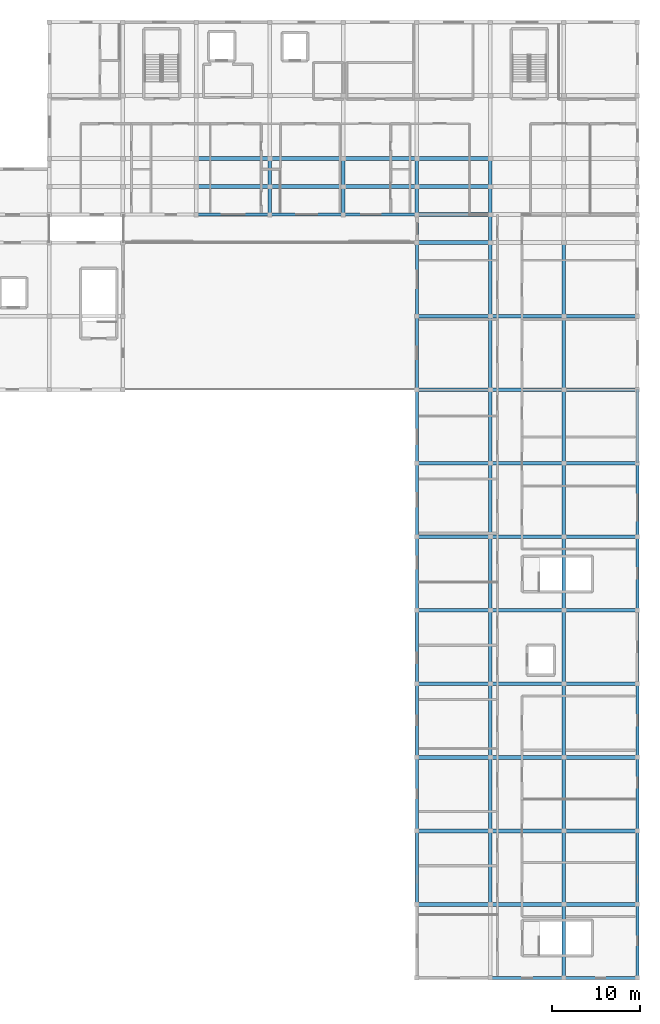
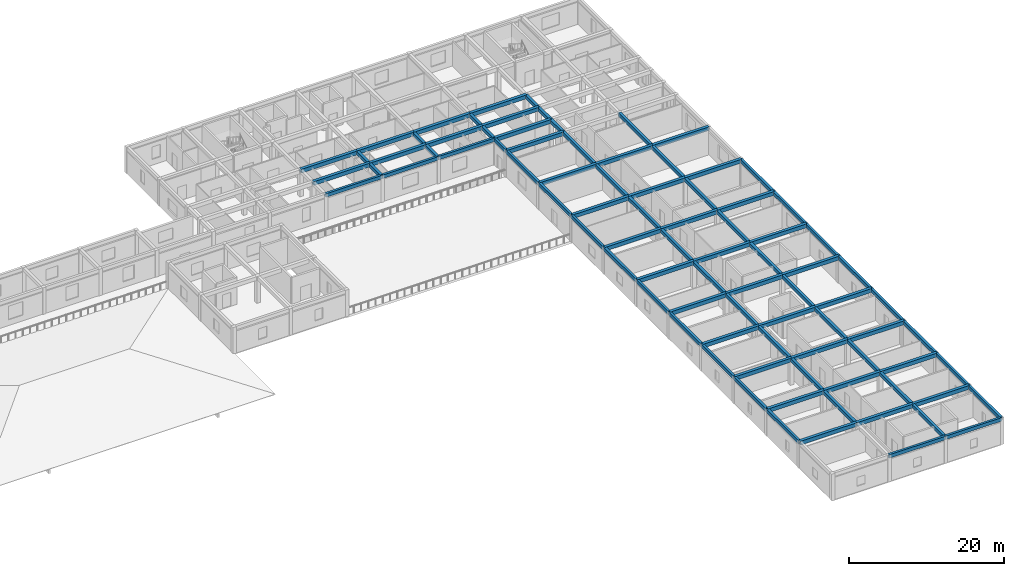
# One storey, part 5 of 28: 88 beams.
"""IFC4 building model written with IfcOpenShell, lengths in metres."""

from ifc_helpers import new_model, si_unit, direction, frame, origin, origin_2d, place, context, subcontext, project, spatial, rectangle, extrude, material, material_profile, profile_set, type_object, element, save


model = new_model("IFC4")

# Units and contexts
model_context = context("Model", 3, precision=1e-05, world=origin(), true_north=direction((0.0, 1.0)))
body_context = subcontext(model_context, "Body", "Model", "MODEL_VIEW")
ifc_project = project(units=[si_unit("LENGTHUNIT", "METRE"), si_unit("AREAUNIT", "SQUARE_METRE"), si_unit("VOLUMEUNIT", "CUBIC_METRE"), si_unit("PLANEANGLEUNIT", "RADIAN"), si_unit("MASSUNIT", "GRAM", prefix="KILO")], contexts=[model_context])

# Site, building, storey
site_placement = place(None, origin())
site = spatial("IfcSite", under=ifc_project, at=site_placement, CompositionType="ELEMENT")
building_placement = place(site_placement, origin())
building = spatial("IfcBuilding", under=site, at=building_placement, Name="Varncliffe General Hospital", CompositionType="ELEMENT")
storey_placement = place(building_placement, frame((0.0, 0.0, 24.60009765625)))
storey = spatial("IfcBuildingStorey", under=building, at=storey_placement, Name="L05", CompositionType="ELEMENT", Elevation=24.60009765625)

# Beams
ifc_material = material(Name="Concrete C35/45 (CSA A23.1 35 MPa)", Category="concrete")
ifc_material_profile_1 = material_profile(ifc_material, rectangle(XDim=0.39990234375, YDim=0.550048828125, at=origin_2d()), Name="RC 400x550")
ifc_profile_set_1 = profile_set([ifc_material_profile_1], Name="Concrete C35/45 (CSA A23.1 35 MPa)")
beam_type_1 = type_object("IfcBeamType", Name="Beam B32 (Int RC 400x550)", PredefinedType="BEAM", material=ifc_profile_set_1)
for number, where, z_axis, x_axis, name in (
    (1, (134.39990234375, 102.800048828125, 3.9248046875), (0.0, 1.0, 0.0), (-1.0, 0.0, 0.0), "L05 Primary Beam B32-207"),
    (2, (134.39990234375, 106.0, 3.9248046875), (0.0, 1.0, 0.0), (-1.0, 0.0, 0.0), "L05 Primary Beam B32-208"),
    (3, (142.800048828125, 102.800048828125, 3.9248046875), (0.0, 1.0, 0.0), (-1.0, 0.0, 0.0), "L05 Primary Beam B32-211"),
    (4, (142.800048828125, 106.0, 3.9248046875), (0.0, 1.0, 0.0), (-1.0, 0.0, 0.0), "L05 Primary Beam B32-212"),
    (5, (151.199951171875, 102.800048828125, 3.9248046875), (0.0, 1.0, 0.0), (-1.0, 0.0, 0.0), "L05 Primary Beam B32-226"),
    (6, (151.199951171875, 106.0, 3.9248046875), (0.0, 1.0, 0.0), (-1.0, 0.0, 0.0), "L05 Primary Beam B32-227"),
):
    element("IfcBeam", number, at=place(storey_placement, frame(where, z_axis=z_axis, x_axis=x_axis)), inside=storey, type_object=beam_type_1, Name=name, PredefinedType="BEAM", context=body_context, shape_type="SweptSolid", body=[
        extrude(rectangle(XDim=0.39990234375, YDim=0.550048828125, at=origin_2d()), origin(), (0.0, 0.0, 1.0), 3.199951171875),
    ])
beam_1_placement = place(storey_placement, frame((159.60009765625, 24.0, 3.9248046875), z_axis=(0.0, 1.0, 0.0), x_axis=(-1.0, 0.0, 0.0)))
element("IfcBeam", 7, at=beam_1_placement, inside=storey, type_object=beam_type_1, Name="L05 Primary Beam B32-231", PredefinedType="BEAM", context=body_context, shape_type="SweptSolid", body=[
    extrude(rectangle(XDim=0.39990234375, YDim=0.550048828125, at=origin_2d()), origin(), (0.0, 0.0, 1.0), 8.39990234375),
])
beam_2_placement = place(storey_placement, frame((159.60009765625, 32.39990234375, 3.9248046875), z_axis=(0.0, 1.0, 0.0), x_axis=(-1.0, 0.0, 0.0)))
element("IfcBeam", 8, at=beam_2_placement, inside=storey, type_object=beam_type_1, Name="L05 Primary Beam B32-232", PredefinedType="BEAM", context=body_context, shape_type="SweptSolid", body=[
    extrude(rectangle(XDim=0.39990234375, YDim=0.550048828125, at=origin_2d()), origin(), (0.0, 0.0, 1.0), 8.400146484375),
])
beam_3_placement = place(storey_placement, frame((159.60009765625, 40.800048828125, 3.9248046875), z_axis=(0.0, 1.0, 0.0), x_axis=(-1.0, 0.0, 0.0)))
element("IfcBeam", 9, at=beam_3_placement, inside=storey, type_object=beam_type_1, Name="L05 Primary Beam B32-233", PredefinedType="BEAM", context=body_context, shape_type="SweptSolid", body=[
    extrude(rectangle(XDim=0.39990234375, YDim=0.550048828125, at=origin_2d()), origin(), (0.0, 0.0, 1.0), 8.39990234375),
])
beam_4_placement = place(storey_placement, frame((159.60009765625, 49.199951171875, 3.9248046875), z_axis=(0.0, 1.0, 0.0), x_axis=(-1.0, 0.0, 0.0)))
element("IfcBeam", 10, at=beam_4_placement, inside=storey, type_object=beam_type_1, Name="L05 Primary Beam B32-234", PredefinedType="BEAM", context=body_context, shape_type="SweptSolid", body=[
    extrude(rectangle(XDim=0.39990234375, YDim=0.550048828125, at=origin_2d()), origin(), (0.0, 0.0, 1.0), 8.400146484375),
])
for number, where, z_axis, x_axis, name in (
    (11, (159.60009765625, 57.60009765625, 3.9248046875), (0.0, 1.0, 0.0), (-1.0, 0.0, 0.0), "L05 Primary Beam B32-235"),
    (12, (159.60009765625, 66.0, 3.9248046875), (0.0, 1.0, 0.0), (-1.0, 0.0, 0.0), "L05 Primary Beam B32-236"),
):
    element("IfcBeam", number, at=place(storey_placement, frame(where, z_axis=z_axis, x_axis=x_axis)), inside=storey, type_object=beam_type_1, Name=name, PredefinedType="BEAM", context=body_context, shape_type="SweptSolid", body=[
        extrude(rectangle(XDim=0.39990234375, YDim=0.550048828125, at=origin_2d()), origin(), (0.0, 0.0, 1.0), 8.39990234375),
    ])
beam_5_placement = place(storey_placement, frame((159.60009765625, 74.39990234375, 3.9248046875), z_axis=(0.0, 1.0, 0.0), x_axis=(-1.0, 0.0, 0.0)))
element("IfcBeam", 13, at=beam_5_placement, inside=storey, type_object=beam_type_1, Name="L05 Primary Beam B32-237", PredefinedType="BEAM", context=body_context, shape_type="SweptSolid", body=[
    extrude(rectangle(XDim=0.39990234375, YDim=0.550048828125, at=origin_2d()), origin(), (0.0, 0.0, 1.0), 8.400146484375),
])
beam_6_placement = place(storey_placement, frame((159.60009765625, 82.800048828125, 3.9248046875), z_axis=(0.0, 1.0, 0.0), x_axis=(-1.0, 0.0, 0.0)))
element("IfcBeam", 14, at=beam_6_placement, inside=storey, type_object=beam_type_1, Name="L05 Primary Beam B32-238", PredefinedType="BEAM", context=body_context, shape_type="SweptSolid", body=[
    extrude(rectangle(XDim=0.39990234375, YDim=0.550048828125, at=origin_2d()), origin(), (0.0, 0.0, 1.0), 8.39990234375),
])
beam_7_placement = place(storey_placement, frame((159.60009765625, 91.199951171875, 3.9248046875), z_axis=(0.0, 1.0, 0.0), x_axis=(-1.0, 0.0, 0.0)))
element("IfcBeam", 15, at=beam_7_placement, inside=storey, type_object=beam_type_1, Name="L05 Primary Beam B32-239", PredefinedType="BEAM", context=body_context, shape_type="SweptSolid", body=[
    extrude(rectangle(XDim=0.39990234375, YDim=0.550048828125, at=origin_2d()), origin(), (0.0, 0.0, 1.0), 8.400146484375),
])
for number, where, z_axis, x_axis, name in (
    (16, (159.60009765625, 99.60009765625, 3.9248046875), (0.0, 1.0, 0.0), (-1.0, 0.0, 0.0), "L05 Primary Beam B32-240"),
    (17, (159.60009765625, 102.800048828125, 3.9248046875), (0.0, 1.0, 0.0), (-1.0, 0.0, 0.0), "L05 Primary Beam B32-241"),
    (18, (159.60009765625, 106.0, 3.9248046875), (0.0, 1.0, 0.0), (-1.0, 0.0, 0.0), "L05 Primary Beam B32-242"),
):
    element("IfcBeam", number, at=place(storey_placement, frame(where, z_axis=z_axis, x_axis=x_axis)), inside=storey, type_object=beam_type_1, Name=name, PredefinedType="BEAM", context=body_context, shape_type="SweptSolid", body=[
        extrude(rectangle(XDim=0.39990234375, YDim=0.550048828125, at=origin_2d()), origin(), (0.0, 0.0, 1.0), 3.199951171875),
    ])
for number, where, z_axis, x_axis, name in (
    (19, (168.0, 15.60009765625, 3.9248046875), (0.0, 1.0, 0.0), (-1.0, 0.0, 0.0), "L05 Primary Beam B32-245"),
    (20, (168.0, 24.0, 3.9248046875), (0.0, 1.0, 0.0), (-1.0, 0.0, 0.0), "L05 Primary Beam B32-246"),
):
    element("IfcBeam", number, at=place(storey_placement, frame(where, z_axis=z_axis, x_axis=x_axis)), inside=storey, type_object=beam_type_1, Name=name, PredefinedType="BEAM", context=body_context, shape_type="SweptSolid", body=[
        extrude(rectangle(XDim=0.39990234375, YDim=0.550048828125, at=origin_2d()), origin(), (0.0, 0.0, 1.0), 8.39990234375),
    ])
beam_8_placement = place(storey_placement, frame((168.0, 32.39990234375, 3.9248046875), z_axis=(0.0, 1.0, 0.0), x_axis=(-1.0, 0.0, 0.0)))
element("IfcBeam", 21, at=beam_8_placement, inside=storey, type_object=beam_type_1, Name="L05 Primary Beam B32-247", PredefinedType="BEAM", context=body_context, shape_type="SweptSolid", body=[
    extrude(rectangle(XDim=0.39990234375, YDim=0.550048828125, at=origin_2d()), origin(), (0.0, 0.0, 1.0), 8.400146484375),
])
beam_9_placement = place(storey_placement, frame((168.0, 40.800048828125, 3.9248046875), z_axis=(0.0, 1.0, 0.0), x_axis=(-1.0, 0.0, 0.0)))
element("IfcBeam", 22, at=beam_9_placement, inside=storey, type_object=beam_type_1, Name="L05 Primary Beam B32-248", PredefinedType="BEAM", context=body_context, shape_type="SweptSolid", body=[
    extrude(rectangle(XDim=0.39990234375, YDim=0.550048828125, at=origin_2d()), origin(), (0.0, 0.0, 1.0), 8.39990234375),
])
beam_10_placement = place(storey_placement, frame((168.0, 49.199951171875, 3.9248046875), z_axis=(0.0, 1.0, 0.0), x_axis=(-1.0, 0.0, 0.0)))
element("IfcBeam", 23, at=beam_10_placement, inside=storey, type_object=beam_type_1, Name="L05 Primary Beam B32-249", PredefinedType="BEAM", context=body_context, shape_type="SweptSolid", body=[
    extrude(rectangle(XDim=0.39990234375, YDim=0.550048828125, at=origin_2d()), origin(), (0.0, 0.0, 1.0), 8.400146484375),
])
for number, where, z_axis, x_axis, name in (
    (24, (168.0, 57.60009765625, 3.9248046875), (0.0, 1.0, 0.0), (-1.0, 0.0, 0.0), "L05 Primary Beam B32-250"),
    (25, (168.0, 66.0, 3.9248046875), (0.0, 1.0, 0.0), (-1.0, 0.0, 0.0), "L05 Primary Beam B32-251"),
):
    element("IfcBeam", number, at=place(storey_placement, frame(where, z_axis=z_axis, x_axis=x_axis)), inside=storey, type_object=beam_type_1, Name=name, PredefinedType="BEAM", context=body_context, shape_type="SweptSolid", body=[
        extrude(rectangle(XDim=0.39990234375, YDim=0.550048828125, at=origin_2d()), origin(), (0.0, 0.0, 1.0), 8.39990234375),
    ])
beam_11_placement = place(storey_placement, frame((168.0, 74.39990234375, 3.9248046875), z_axis=(0.0, 1.0, 0.0), x_axis=(-1.0, 0.0, 0.0)))
element("IfcBeam", 26, at=beam_11_placement, inside=storey, type_object=beam_type_1, Name="L05 Primary Beam B32-252", PredefinedType="BEAM", context=body_context, shape_type="SweptSolid", body=[
    extrude(rectangle(XDim=0.39990234375, YDim=0.550048828125, at=origin_2d()), origin(), (0.0, 0.0, 1.0), 8.400146484375),
])
beam_12_placement = place(storey_placement, frame((168.0, 82.800048828125, 3.9248046875), z_axis=(0.0, 1.0, 0.0), x_axis=(-1.0, 0.0, 0.0)))
element("IfcBeam", 27, at=beam_12_placement, inside=storey, type_object=beam_type_1, Name="L05 Primary Beam B32-253", PredefinedType="BEAM", context=body_context, shape_type="SweptSolid", body=[
    extrude(rectangle(XDim=0.39990234375, YDim=0.550048828125, at=origin_2d()), origin(), (0.0, 0.0, 1.0), 8.39990234375),
])
beam_13_placement = place(storey_placement, frame((168.0, 91.199951171875, 3.9248046875), z_axis=(0.0, 1.0, 0.0), x_axis=(-1.0, 0.0, 0.0)))
element("IfcBeam", 28, at=beam_13_placement, inside=storey, type_object=beam_type_1, Name="L05 Primary Beam B32-254", PredefinedType="BEAM", context=body_context, shape_type="SweptSolid", body=[
    extrude(rectangle(XDim=0.39990234375, YDim=0.550048828125, at=origin_2d()), origin(), (0.0, 0.0, 1.0), 8.400146484375),
])
ifc_material_profile_2 = material_profile(ifc_material, rectangle(XDim=0.449951171875, YDim=0.60009765625, at=origin_2d()), Name="RC 450x600")
ifc_profile_set_2 = profile_set([ifc_material_profile_2], Name="Concrete C35/45 (CSA A23.1 35 MPa)")
beam_type_2 = type_object("IfcBeamType", Name="Beam B47 (Int RC 450x600)", PredefinedType="BEAM", material=ifc_profile_set_2)
beam_14_placement = place(storey_placement, frame((151.199951171875, 24.0, 3.89990234375), z_axis=(1.0, 0.0, 0.0), x_axis=(0.0, 1.0, 0.0)))
element("IfcBeam", 29, at=beam_14_placement, inside=storey, type_object=beam_type_2, Name="L05 Primary Beam B47-4", PredefinedType="BEAM", context=body_context, shape_type="SweptSolid", body=[
    extrude(rectangle(XDim=0.449951171875, YDim=0.60009765625, at=origin_2d()), origin(), (0.0, 0.0, 1.0), 8.400146484375),
])
for number, where, z_axis, x_axis, name in (
    (30, (159.60009765625, 24.0, 3.89990234375), (1.0, 0.0, 0.0), (0.0, 1.0, 0.0), "L05 Primary Beam B47-5"),
    (31, (168.0, 24.0, 3.89990234375), (1.0, 0.0, 0.0), (0.0, 1.0, 0.0), "L05 Primary Beam B47-6"),
):
    element("IfcBeam", number, at=place(storey_placement, frame(where, z_axis=z_axis, x_axis=x_axis)), inside=storey, type_object=beam_type_2, Name=name, PredefinedType="BEAM", context=body_context, shape_type="SweptSolid", body=[
        extrude(rectangle(XDim=0.449951171875, YDim=0.60009765625, at=origin_2d()), origin(), (0.0, 0.0, 1.0), 8.39990234375),
    ])
beam_15_placement = place(storey_placement, frame((151.199951171875, 32.39990234375, 3.89990234375), z_axis=(1.0, 0.0, 0.0), x_axis=(0.0, 1.0, 0.0)))
element("IfcBeam", 32, at=beam_15_placement, inside=storey, type_object=beam_type_2, Name="L05 Primary Beam B47-7", PredefinedType="BEAM", context=body_context, shape_type="SweptSolid", body=[
    extrude(rectangle(XDim=0.449951171875, YDim=0.60009765625, at=origin_2d()), origin(), (0.0, 0.0, 1.0), 8.400146484375),
])
for number, where, z_axis, x_axis, name in (
    (33, (159.60009765625, 32.39990234375, 3.89990234375), (1.0, 0.0, 0.0), (0.0, 1.0, 0.0), "L05 Primary Beam B47-8"),
    (34, (168.0, 32.39990234375, 3.89990234375), (1.0, 0.0, 0.0), (0.0, 1.0, 0.0), "L05 Primary Beam B47-9"),
):
    element("IfcBeam", number, at=place(storey_placement, frame(where, z_axis=z_axis, x_axis=x_axis)), inside=storey, type_object=beam_type_2, Name=name, PredefinedType="BEAM", context=body_context, shape_type="SweptSolid", body=[
        extrude(rectangle(XDim=0.449951171875, YDim=0.60009765625, at=origin_2d()), origin(), (0.0, 0.0, 1.0), 8.39990234375),
    ])
beam_16_placement = place(storey_placement, frame((151.199951171875, 40.800048828125, 3.89990234375), z_axis=(1.0, 0.0, 0.0), x_axis=(0.0, 1.0, 0.0)))
element("IfcBeam", 35, at=beam_16_placement, inside=storey, type_object=beam_type_2, Name="L05 Primary Beam B47-10", PredefinedType="BEAM", context=body_context, shape_type="SweptSolid", body=[
    extrude(rectangle(XDim=0.449951171875, YDim=0.60009765625, at=origin_2d()), origin(), (0.0, 0.0, 1.0), 8.400146484375),
])
for number, where, z_axis, x_axis, name in (
    (36, (159.60009765625, 40.800048828125, 3.89990234375), (1.0, 0.0, 0.0), (0.0, 1.0, 0.0), "L05 Primary Beam B47-11"),
    (37, (168.0, 40.800048828125, 3.89990234375), (1.0, 0.0, 0.0), (0.0, 1.0, 0.0), "L05 Primary Beam B47-12"),
):
    element("IfcBeam", number, at=place(storey_placement, frame(where, z_axis=z_axis, x_axis=x_axis)), inside=storey, type_object=beam_type_2, Name=name, PredefinedType="BEAM", context=body_context, shape_type="SweptSolid", body=[
        extrude(rectangle(XDim=0.449951171875, YDim=0.60009765625, at=origin_2d()), origin(), (0.0, 0.0, 1.0), 8.39990234375),
    ])
beam_17_placement = place(storey_placement, frame((151.199951171875, 49.199951171875, 3.89990234375), z_axis=(1.0, 0.0, 0.0), x_axis=(0.0, 1.0, 0.0)))
element("IfcBeam", 38, at=beam_17_placement, inside=storey, type_object=beam_type_2, Name="L05 Primary Beam B47-13", PredefinedType="BEAM", context=body_context, shape_type="SweptSolid", body=[
    extrude(rectangle(XDim=0.449951171875, YDim=0.60009765625, at=origin_2d()), origin(), (0.0, 0.0, 1.0), 8.400146484375),
])
for number, where, z_axis, x_axis, name in (
    (39, (159.60009765625, 49.199951171875, 3.89990234375), (1.0, 0.0, 0.0), (0.0, 1.0, 0.0), "L05 Primary Beam B47-14"),
    (40, (168.0, 49.199951171875, 3.89990234375), (1.0, 0.0, 0.0), (0.0, 1.0, 0.0), "L05 Primary Beam B47-15"),
):
    element("IfcBeam", number, at=place(storey_placement, frame(where, z_axis=z_axis, x_axis=x_axis)), inside=storey, type_object=beam_type_2, Name=name, PredefinedType="BEAM", context=body_context, shape_type="SweptSolid", body=[
        extrude(rectangle(XDim=0.449951171875, YDim=0.60009765625, at=origin_2d()), origin(), (0.0, 0.0, 1.0), 8.39990234375),
    ])
beam_18_placement = place(storey_placement, frame((151.199951171875, 57.60009765625, 3.89990234375), z_axis=(1.0, 0.0, 0.0), x_axis=(0.0, 1.0, 0.0)))
element("IfcBeam", 41, at=beam_18_placement, inside=storey, type_object=beam_type_2, Name="L05 Primary Beam B47-16", PredefinedType="BEAM", context=body_context, shape_type="SweptSolid", body=[
    extrude(rectangle(XDim=0.449951171875, YDim=0.60009765625, at=origin_2d()), origin(), (0.0, 0.0, 1.0), 8.400146484375),
])
for number, where, z_axis, x_axis, name in (
    (42, (159.60009765625, 57.60009765625, 3.89990234375), (1.0, 0.0, 0.0), (0.0, 1.0, 0.0), "L05 Primary Beam B47-17"),
    (43, (168.0, 57.60009765625, 3.89990234375), (1.0, 0.0, 0.0), (0.0, 1.0, 0.0), "L05 Primary Beam B47-18"),
):
    element("IfcBeam", number, at=place(storey_placement, frame(where, z_axis=z_axis, x_axis=x_axis)), inside=storey, type_object=beam_type_2, Name=name, PredefinedType="BEAM", context=body_context, shape_type="SweptSolid", body=[
        extrude(rectangle(XDim=0.449951171875, YDim=0.60009765625, at=origin_2d()), origin(), (0.0, 0.0, 1.0), 8.39990234375),
    ])
beam_19_placement = place(storey_placement, frame((151.199951171875, 66.0, 3.89990234375), z_axis=(1.0, 0.0, 0.0), x_axis=(0.0, 1.0, 0.0)))
element("IfcBeam", 44, at=beam_19_placement, inside=storey, type_object=beam_type_2, Name="L05 Primary Beam B47-19", PredefinedType="BEAM", context=body_context, shape_type="SweptSolid", body=[
    extrude(rectangle(XDim=0.449951171875, YDim=0.60009765625, at=origin_2d()), origin(), (0.0, 0.0, 1.0), 8.400146484375),
])
for number, where, z_axis, x_axis, name in (
    (45, (159.60009765625, 66.0, 3.89990234375), (1.0, 0.0, 0.0), (0.0, 1.0, 0.0), "L05 Primary Beam B47-20"),
    (46, (168.0, 66.0, 3.89990234375), (1.0, 0.0, 0.0), (0.0, 1.0, 0.0), "L05 Primary Beam B47-21"),
):
    element("IfcBeam", number, at=place(storey_placement, frame(where, z_axis=z_axis, x_axis=x_axis)), inside=storey, type_object=beam_type_2, Name=name, PredefinedType="BEAM", context=body_context, shape_type="SweptSolid", body=[
        extrude(rectangle(XDim=0.449951171875, YDim=0.60009765625, at=origin_2d()), origin(), (0.0, 0.0, 1.0), 8.39990234375),
    ])
beam_20_placement = place(storey_placement, frame((151.199951171875, 74.39990234375, 3.89990234375), z_axis=(1.0, 0.0, 0.0), x_axis=(0.0, 1.0, 0.0)))
element("IfcBeam", 47, at=beam_20_placement, inside=storey, type_object=beam_type_2, Name="L05 Primary Beam B47-22", PredefinedType="BEAM", context=body_context, shape_type="SweptSolid", body=[
    extrude(rectangle(XDim=0.449951171875, YDim=0.60009765625, at=origin_2d()), origin(), (0.0, 0.0, 1.0), 8.400146484375),
])
for number, where, z_axis, x_axis, name in (
    (48, (159.60009765625, 74.39990234375, 3.89990234375), (1.0, 0.0, 0.0), (0.0, 1.0, 0.0), "L05 Primary Beam B47-23"),
    (49, (168.0, 74.39990234375, 3.89990234375), (1.0, 0.0, 0.0), (0.0, 1.0, 0.0), "L05 Primary Beam B47-24"),
):
    element("IfcBeam", number, at=place(storey_placement, frame(where, z_axis=z_axis, x_axis=x_axis)), inside=storey, type_object=beam_type_2, Name=name, PredefinedType="BEAM", context=body_context, shape_type="SweptSolid", body=[
        extrude(rectangle(XDim=0.449951171875, YDim=0.60009765625, at=origin_2d()), origin(), (0.0, 0.0, 1.0), 8.39990234375),
    ])
beam_21_placement = place(storey_placement, frame((151.199951171875, 82.800048828125, 3.89990234375), z_axis=(1.0, 0.0, 0.0), x_axis=(0.0, 1.0, 0.0)))
element("IfcBeam", 50, at=beam_21_placement, inside=storey, type_object=beam_type_2, Name="L05 Primary Beam B47-30", PredefinedType="BEAM", context=body_context, shape_type="SweptSolid", body=[
    extrude(rectangle(XDim=0.449951171875, YDim=0.60009765625, at=origin_2d()), origin(), (0.0, 0.0, 1.0), 8.400146484375),
])
for number, where, z_axis, x_axis, name in (
    (51, (159.60009765625, 82.800048828125, 3.89990234375), (1.0, 0.0, 0.0), (0.0, 1.0, 0.0), "L05 Primary Beam B47-31"),
    (52, (168.0, 82.800048828125, 3.89990234375), (1.0, 0.0, 0.0), (0.0, 1.0, 0.0), "L05 Primary Beam B47-32"),
):
    element("IfcBeam", number, at=place(storey_placement, frame(where, z_axis=z_axis, x_axis=x_axis)), inside=storey, type_object=beam_type_2, Name=name, PredefinedType="BEAM", context=body_context, shape_type="SweptSolid", body=[
        extrude(rectangle(XDim=0.449951171875, YDim=0.60009765625, at=origin_2d()), origin(), (0.0, 0.0, 1.0), 8.39990234375),
    ])
beam_22_placement = place(storey_placement, frame((151.199951171875, 91.199951171875, 3.89990234375), z_axis=(1.0, 0.0, 0.0), x_axis=(0.0, 1.0, 0.0)))
element("IfcBeam", 53, at=beam_22_placement, inside=storey, type_object=beam_type_2, Name="L05 Primary Beam B47-38", PredefinedType="BEAM", context=body_context, shape_type="SweptSolid", body=[
    extrude(rectangle(XDim=0.449951171875, YDim=0.60009765625, at=origin_2d()), origin(), (0.0, 0.0, 1.0), 8.400146484375),
])
for number, where, z_axis, x_axis, name in (
    (54, (159.60009765625, 91.199951171875, 3.89990234375), (1.0, 0.0, 0.0), (0.0, 1.0, 0.0), "L05 Primary Beam B47-39"),
    (55, (168.0, 91.199951171875, 3.89990234375), (1.0, 0.0, 0.0), (0.0, 1.0, 0.0), "L05 Primary Beam B47-40"),
):
    element("IfcBeam", number, at=place(storey_placement, frame(where, z_axis=z_axis, x_axis=x_axis)), inside=storey, type_object=beam_type_2, Name=name, PredefinedType="BEAM", context=body_context, shape_type="SweptSolid", body=[
        extrude(rectangle(XDim=0.449951171875, YDim=0.60009765625, at=origin_2d()), origin(), (0.0, 0.0, 1.0), 8.39990234375),
    ])
for number, where, z_axis, x_axis, name in (
    (56, (151.199951171875, 99.60009765625, 3.89990234375), (1.0, 0.0, 0.0), (0.0, 1.0, 0.0), "L05 Primary Beam B47-46"),
    (57, (151.199951171875, 102.800048828125, 3.89990234375), (1.0, 0.0, 0.0), (0.0, 1.0, 0.0), "L05 Primary Beam B47-67"),
):
    element("IfcBeam", number, at=place(storey_placement, frame(where, z_axis=z_axis, x_axis=x_axis)), inside=storey, type_object=beam_type_2, Name=name, PredefinedType="BEAM", context=body_context, shape_type="SweptSolid", body=[
        extrude(rectangle(XDim=0.449951171875, YDim=0.60009765625, at=origin_2d()), origin(), (0.0, 0.0, 1.0), 8.400146484375),
    ])
beam_23_placement = place(storey_placement, frame((126.0, 106.0, 3.89990234375), z_axis=(1.0, 0.0, 0.0), x_axis=(0.0, 1.0, 0.0)))
element("IfcBeam", 58, at=beam_23_placement, inside=storey, type_object=beam_type_2, Name="L05 Primary Beam B47-80", PredefinedType="BEAM", context=body_context, shape_type="SweptSolid", body=[
    extrude(rectangle(XDim=0.449951171875, YDim=0.60009765625, at=origin_2d()), origin(), (0.0, 0.0, 1.0), 8.39990234375),
])
beam_24_placement = place(storey_placement, frame((134.39990234375, 106.0, 3.89990234375), z_axis=(1.0, 0.0, 0.0), x_axis=(0.0, 1.0, 0.0)))
element("IfcBeam", 59, at=beam_24_placement, inside=storey, type_object=beam_type_2, Name="L05 Primary Beam B47-81", PredefinedType="BEAM", context=body_context, shape_type="SweptSolid", body=[
    extrude(rectangle(XDim=0.449951171875, YDim=0.60009765625, at=origin_2d()), origin(), (0.0, 0.0, 1.0), 8.400146484375),
])
beam_25_placement = place(storey_placement, frame((142.800048828125, 106.0, 3.89990234375), z_axis=(1.0, 0.0, 0.0), x_axis=(0.0, 1.0, 0.0)))
element("IfcBeam", 60, at=beam_25_placement, inside=storey, type_object=beam_type_2, Name="L05 Primary Beam B47-82", PredefinedType="BEAM", context=body_context, shape_type="SweptSolid", body=[
    extrude(rectangle(XDim=0.449951171875, YDim=0.60009765625, at=origin_2d()), origin(), (0.0, 0.0, 1.0), 8.39990234375),
])
beam_26_placement = place(storey_placement, frame((151.199951171875, 106.0, 3.89990234375), z_axis=(1.0, 0.0, 0.0), x_axis=(0.0, 1.0, 0.0)))
element("IfcBeam", 61, at=beam_26_placement, inside=storey, type_object=beam_type_2, Name="L05 Primary Beam B47-83", PredefinedType="BEAM", context=body_context, shape_type="SweptSolid", body=[
    extrude(rectangle(XDim=0.449951171875, YDim=0.60009765625, at=origin_2d()), origin(), (0.0, 0.0, 1.0), 8.400146484375),
])
beam_27_placement = place(storey_placement, frame((126.0, 109.199951171875, 3.89990234375), z_axis=(1.0, 0.0, 0.0), x_axis=(0.0, 1.0, 0.0)))
element("IfcBeam", 62, at=beam_27_placement, inside=storey, type_object=beam_type_2, Name="L05 Primary Beam B47-99", PredefinedType="BEAM", context=body_context, shape_type="SweptSolid", body=[
    extrude(rectangle(XDim=0.449951171875, YDim=0.60009765625, at=origin_2d()), origin(), (0.0, 0.0, 1.0), 8.39990234375),
])
beam_28_placement = place(storey_placement, frame((134.39990234375, 109.199951171875, 3.89990234375), z_axis=(1.0, 0.0, 0.0), x_axis=(0.0, 1.0, 0.0)))
element("IfcBeam", 63, at=beam_28_placement, inside=storey, type_object=beam_type_2, Name="L05 Primary Beam B47-100", PredefinedType="BEAM", context=body_context, shape_type="SweptSolid", body=[
    extrude(rectangle(XDim=0.449951171875, YDim=0.60009765625, at=origin_2d()), origin(), (0.0, 0.0, 1.0), 8.400146484375),
])
beam_29_placement = place(storey_placement, frame((142.800048828125, 109.199951171875, 3.89990234375), z_axis=(1.0, 0.0, 0.0), x_axis=(0.0, 1.0, 0.0)))
element("IfcBeam", 64, at=beam_29_placement, inside=storey, type_object=beam_type_2, Name="L05 Primary Beam B47-101", PredefinedType="BEAM", context=body_context, shape_type="SweptSolid", body=[
    extrude(rectangle(XDim=0.449951171875, YDim=0.60009765625, at=origin_2d()), origin(), (0.0, 0.0, 1.0), 8.39990234375),
])
beam_30_placement = place(storey_placement, frame((151.199951171875, 109.199951171875, 3.89990234375), z_axis=(1.0, 0.0, 0.0), x_axis=(0.0, 1.0, 0.0)))
element("IfcBeam", 65, at=beam_30_placement, inside=storey, type_object=beam_type_2, Name="L05 Primary Beam B47-102", PredefinedType="BEAM", context=body_context, shape_type="SweptSolid", body=[
    extrude(rectangle(XDim=0.449951171875, YDim=0.60009765625, at=origin_2d()), origin(), (0.0, 0.0, 1.0), 8.400146484375),
])
ifc_material_profile_3 = material_profile(ifc_material, rectangle(XDim=0.35009765625, YDim=0.550048828125, at=origin_2d()), Name="RC 350x550")
ifc_profile_set_3 = profile_set([ifc_material_profile_3], Name="Concrete C35/45 (CSA A23.1 35 MPa)")
beam_type_3 = type_object("IfcBeamType", Name="Spandrel SP20 (Ext RC 350x550)", PredefinedType="SPANDREL", material=ifc_profile_set_3)
for number, where, z_axis, x_axis, name in (
    (66, (159.60009765625, 15.60009765625, 3.9248046875), (1.0, 0.0, 0.0), (0.0, 1.0, 0.0), "L05 Spandrel Beam SP20-2"),
    (67, (168.0, 15.60009765625, 3.9248046875), (1.0, 0.0, 0.0), (0.0, 1.0, 0.0), "L05 Spandrel Beam SP20-3"),
    (68, (126.0, 102.800048828125, 3.9248046875), (1.0, 0.0, 0.0), (0.0, 1.0, 0.0), "L05 Spandrel Beam SP20-64"),
):
    element("IfcBeam", number, at=place(storey_placement, frame(where, z_axis=z_axis, x_axis=x_axis)), inside=storey, type_object=beam_type_3, Name=name, PredefinedType="SPANDREL", context=body_context, shape_type="SweptSolid", body=[
        extrude(rectangle(XDim=0.35009765625, YDim=0.550048828125, at=origin_2d()), origin(), (0.0, 0.0, 1.0), 8.39990234375),
    ])
beam_31_placement = place(storey_placement, frame((134.39990234375, 102.800048828125, 3.9248046875), z_axis=(1.0, 0.0, 0.0), x_axis=(0.0, 1.0, 0.0)))
element("IfcBeam", 69, at=beam_31_placement, inside=storey, type_object=beam_type_3, Name="L05 Spandrel Beam SP20-65", PredefinedType="SPANDREL", context=body_context, shape_type="SweptSolid", body=[
    extrude(rectangle(XDim=0.35009765625, YDim=0.550048828125, at=origin_2d()), origin(), (0.0, 0.0, 1.0), 8.400146484375),
])
for number, where, z_axis, x_axis, name in (
    (70, (142.800048828125, 102.800048828125, 3.9248046875), (1.0, 0.0, 0.0), (0.0, 1.0, 0.0), "L05 Spandrel Beam SP20-66"),
    (71, (151.199951171875, 24.0, 3.9248046875), (0.0, 1.0, 0.0), (-1.0, 0.0, 0.0), "L05 Spandrel Beam SP20-216"),
):
    element("IfcBeam", number, at=place(storey_placement, frame(where, z_axis=z_axis, x_axis=x_axis)), inside=storey, type_object=beam_type_3, Name=name, PredefinedType="SPANDREL", context=body_context, shape_type="SweptSolid", body=[
        extrude(rectangle(XDim=0.35009765625, YDim=0.550048828125, at=origin_2d()), origin(), (0.0, 0.0, 1.0), 8.39990234375),
    ])
beam_32_placement = place(storey_placement, frame((151.199951171875, 32.39990234375, 3.9248046875), z_axis=(0.0, 1.0, 0.0), x_axis=(-1.0, 0.0, 0.0)))
element("IfcBeam", 72, at=beam_32_placement, inside=storey, type_object=beam_type_3, Name="L05 Spandrel Beam SP20-217", PredefinedType="SPANDREL", context=body_context, shape_type="SweptSolid", body=[
    extrude(rectangle(XDim=0.35009765625, YDim=0.550048828125, at=origin_2d()), origin(), (0.0, 0.0, 1.0), 8.400146484375),
])
beam_33_placement = place(storey_placement, frame((151.199951171875, 40.800048828125, 3.9248046875), z_axis=(0.0, 1.0, 0.0), x_axis=(-1.0, 0.0, 0.0)))
element("IfcBeam", 73, at=beam_33_placement, inside=storey, type_object=beam_type_3, Name="L05 Spandrel Beam SP20-218", PredefinedType="SPANDREL", context=body_context, shape_type="SweptSolid", body=[
    extrude(rectangle(XDim=0.35009765625, YDim=0.550048828125, at=origin_2d()), origin(), (0.0, 0.0, 1.0), 8.39990234375),
])
beam_34_placement = place(storey_placement, frame((151.199951171875, 49.199951171875, 3.9248046875), z_axis=(0.0, 1.0, 0.0), x_axis=(-1.0, 0.0, 0.0)))
element("IfcBeam", 74, at=beam_34_placement, inside=storey, type_object=beam_type_3, Name="L05 Spandrel Beam SP20-219", PredefinedType="SPANDREL", context=body_context, shape_type="SweptSolid", body=[
    extrude(rectangle(XDim=0.35009765625, YDim=0.550048828125, at=origin_2d()), origin(), (0.0, 0.0, 1.0), 8.400146484375),
])
for number, where, z_axis, x_axis, name in (
    (75, (151.199951171875, 57.60009765625, 3.9248046875), (0.0, 1.0, 0.0), (-1.0, 0.0, 0.0), "L05 Spandrel Beam SP20-220"),
    (76, (151.199951171875, 66.0, 3.9248046875), (0.0, 1.0, 0.0), (-1.0, 0.0, 0.0), "L05 Spandrel Beam SP20-221"),
):
    element("IfcBeam", number, at=place(storey_placement, frame(where, z_axis=z_axis, x_axis=x_axis)), inside=storey, type_object=beam_type_3, Name=name, PredefinedType="SPANDREL", context=body_context, shape_type="SweptSolid", body=[
        extrude(rectangle(XDim=0.35009765625, YDim=0.550048828125, at=origin_2d()), origin(), (0.0, 0.0, 1.0), 8.39990234375),
    ])
beam_35_placement = place(storey_placement, frame((151.199951171875, 74.39990234375, 3.9248046875), z_axis=(0.0, 1.0, 0.0), x_axis=(-1.0, 0.0, 0.0)))
element("IfcBeam", 77, at=beam_35_placement, inside=storey, type_object=beam_type_3, Name="L05 Spandrel Beam SP20-222", PredefinedType="SPANDREL", context=body_context, shape_type="SweptSolid", body=[
    extrude(rectangle(XDim=0.35009765625, YDim=0.550048828125, at=origin_2d()), origin(), (0.0, 0.0, 1.0), 8.400146484375),
])
beam_36_placement = place(storey_placement, frame((151.199951171875, 82.800048828125, 3.9248046875), z_axis=(0.0, 1.0, 0.0), x_axis=(-1.0, 0.0, 0.0)))
element("IfcBeam", 78, at=beam_36_placement, inside=storey, type_object=beam_type_3, Name="L05 Spandrel Beam SP20-223", PredefinedType="SPANDREL", context=body_context, shape_type="SweptSolid", body=[
    extrude(rectangle(XDim=0.35009765625, YDim=0.550048828125, at=origin_2d()), origin(), (0.0, 0.0, 1.0), 8.39990234375),
])
beam_37_placement = place(storey_placement, frame((151.199951171875, 91.199951171875, 3.9248046875), z_axis=(0.0, 1.0, 0.0), x_axis=(-1.0, 0.0, 0.0)))
element("IfcBeam", 79, at=beam_37_placement, inside=storey, type_object=beam_type_3, Name="L05 Spandrel Beam SP20-224", PredefinedType="SPANDREL", context=body_context, shape_type="SweptSolid", body=[
    extrude(rectangle(XDim=0.35009765625, YDim=0.550048828125, at=origin_2d()), origin(), (0.0, 0.0, 1.0), 8.400146484375),
])
beam_38_placement = place(storey_placement, frame((151.199951171875, 99.60009765625, 3.9248046875), z_axis=(0.0, 1.0, 0.0), x_axis=(-1.0, 0.0, 0.0)))
element("IfcBeam", 80, at=beam_38_placement, inside=storey, type_object=beam_type_3, Name="L05 Spandrel Beam SP20-225", PredefinedType="SPANDREL", context=body_context, shape_type="SweptSolid", body=[
    extrude(rectangle(XDim=0.35009765625, YDim=0.550048828125, at=origin_2d()), origin(), (0.0, 0.0, 1.0), 3.199951171875),
])
for number, where, z_axis, x_axis, name in (
    (81, (176.39990234375, 15.60009765625, 3.9248046875), (0.0, 1.0, 0.0), (-1.0, 0.0, 0.0), "L05 Spandrel Beam SP20-260"),
    (82, (176.39990234375, 24.0, 3.9248046875), (0.0, 1.0, 0.0), (-1.0, 0.0, 0.0), "L05 Spandrel Beam SP20-261"),
):
    element("IfcBeam", number, at=place(storey_placement, frame(where, z_axis=z_axis, x_axis=x_axis)), inside=storey, type_object=beam_type_3, Name=name, PredefinedType="SPANDREL", context=body_context, shape_type="SweptSolid", body=[
        extrude(rectangle(XDim=0.35009765625, YDim=0.550048828125, at=origin_2d()), origin(), (0.0, 0.0, 1.0), 8.39990234375),
    ])
beam_39_placement = place(storey_placement, frame((176.39990234375, 32.39990234375, 3.9248046875), z_axis=(0.0, 1.0, 0.0), x_axis=(-1.0, 0.0, 0.0)))
element("IfcBeam", 83, at=beam_39_placement, inside=storey, type_object=beam_type_3, Name="L05 Spandrel Beam SP20-262", PredefinedType="SPANDREL", context=body_context, shape_type="SweptSolid", body=[
    extrude(rectangle(XDim=0.35009765625, YDim=0.550048828125, at=origin_2d()), origin(), (0.0, 0.0, 1.0), 8.400146484375),
])
beam_40_placement = place(storey_placement, frame((176.39990234375, 40.800048828125, 3.9248046875), z_axis=(0.0, 1.0, 0.0), x_axis=(-1.0, 0.0, 0.0)))
element("IfcBeam", 84, at=beam_40_placement, inside=storey, type_object=beam_type_3, Name="L05 Spandrel Beam SP20-263", PredefinedType="SPANDREL", context=body_context, shape_type="SweptSolid", body=[
    extrude(rectangle(XDim=0.35009765625, YDim=0.550048828125, at=origin_2d()), origin(), (0.0, 0.0, 1.0), 8.39990234375),
])
beam_41_placement = place(storey_placement, frame((176.39990234375, 49.199951171875, 3.9248046875), z_axis=(0.0, 1.0, 0.0), x_axis=(-1.0, 0.0, 0.0)))
element("IfcBeam", 85, at=beam_41_placement, inside=storey, type_object=beam_type_3, Name="L05 Spandrel Beam SP20-264", PredefinedType="SPANDREL", context=body_context, shape_type="SweptSolid", body=[
    extrude(rectangle(XDim=0.35009765625, YDim=0.550048828125, at=origin_2d()), origin(), (0.0, 0.0, 1.0), 8.400146484375),
])
for number, where, z_axis, x_axis, name in (
    (86, (176.39990234375, 57.60009765625, 3.9248046875), (0.0, 1.0, 0.0), (-1.0, 0.0, 0.0), "L05 Spandrel Beam SP20-265"),
    (87, (176.39990234375, 66.0, 3.9248046875), (0.0, 1.0, 0.0), (-1.0, 0.0, 0.0), "L05 Spandrel Beam SP20-266"),
):
    element("IfcBeam", number, at=place(storey_placement, frame(where, z_axis=z_axis, x_axis=x_axis)), inside=storey, type_object=beam_type_3, Name=name, PredefinedType="SPANDREL", context=body_context, shape_type="SweptSolid", body=[
        extrude(rectangle(XDim=0.35009765625, YDim=0.550048828125, at=origin_2d()), origin(), (0.0, 0.0, 1.0), 8.39990234375),
    ])
beam_42_placement = place(storey_placement, frame((176.39990234375, 74.39990234375, 3.9248046875), z_axis=(0.0, 1.0, 0.0), x_axis=(-1.0, 0.0, 0.0)))
element("IfcBeam", 88, at=beam_42_placement, inside=storey, type_object=beam_type_3, Name="L05 Spandrel Beam SP20-267", PredefinedType="SPANDREL", context=body_context, shape_type="SweptSolid", body=[
    extrude(rectangle(XDim=0.35009765625, YDim=0.550048828125, at=origin_2d()), origin(), (0.0, 0.0, 1.0), 8.400146484375),
])

save(model, "model.ifc")
